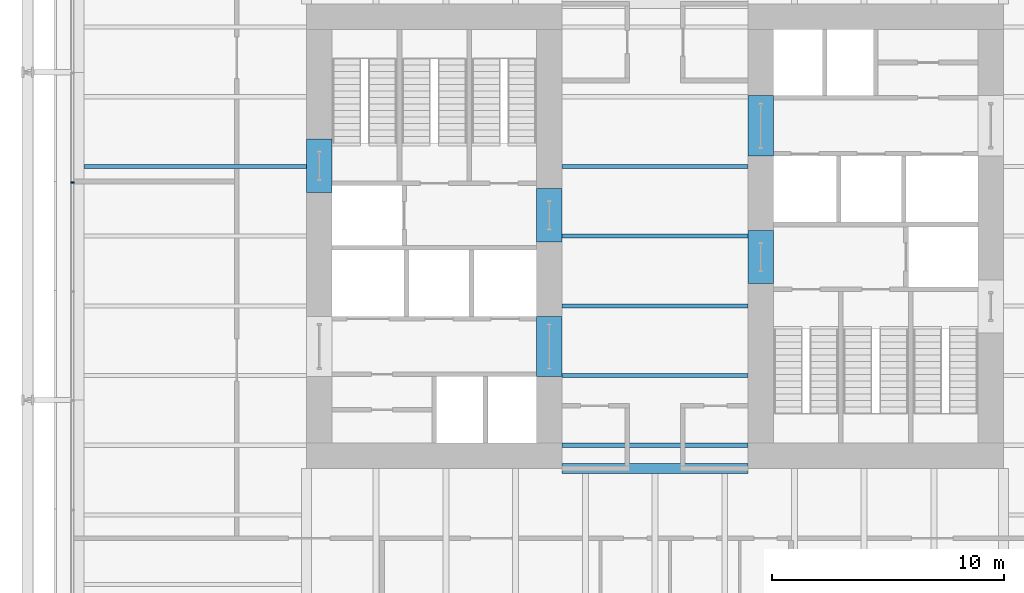
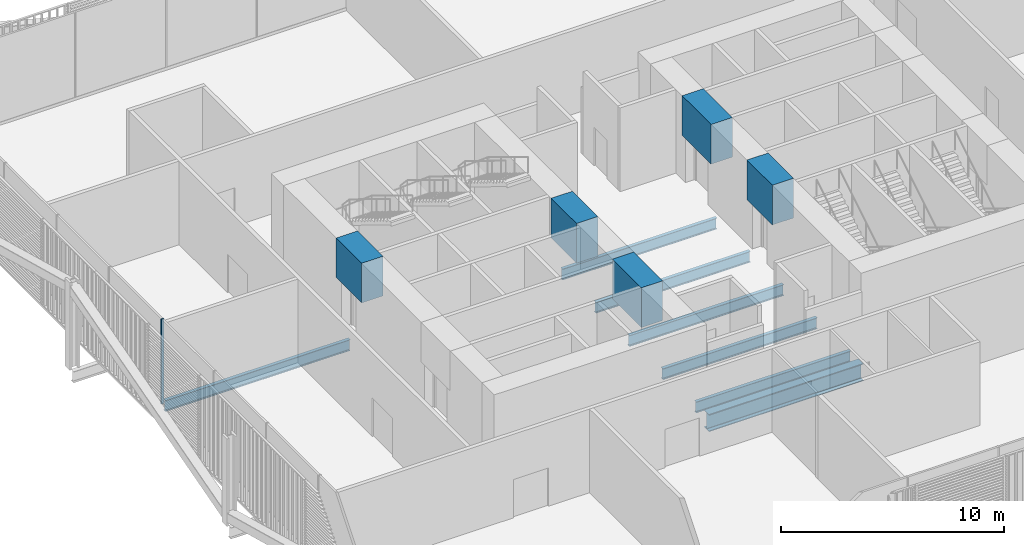
# One storey, part 7 of 22: 12 beams, 1 member, 1 element without a shape of its own.
"""IFC4 building model written with IfcOpenShell, lengths in metres."""

import ifcopenshell
import ifcopenshell.guid

model = None  # the IFC model being written
_history = None  # IfcOwnerHistory: only IFC2X3 demands one
_inside = {}  # id of a spatial element -> (the spatial element, [elements in it])
_under = {}  # id of a project, library or spatial element -> (it, [spatial elements below it])
_declared = {}  # id of a project -> (the project, [libraries it declares])
_typed = {}  # id of a type object -> (the type object, [elements of that type])
_made_of = {}  # id of a material, layer set ... -> (it, [elements and type objects made of it])


def new_model(schema):
    """Start an empty IFC model of exactly this schema.

    Asked for "IFC4X3", IfcOpenShell would pick the latest addendum, in which some entities
    have other attributes; the version numbers below select the first issue.
    IFC2X3 requires an IfcOwnerHistory on every rooted entity: one is made here for all.
    """
    global model, _history
    if schema == "IFC4X3":
        model = ifcopenshell.file(schema_version=(4, 3, 0, 0))
    else:
        model = ifcopenshell.file(schema=schema)
    _inside.clear()
    _under.clear()
    _declared.clear()
    _typed.clear()
    _made_of.clear()
    _history = None
    if model.schema == "IFC2X3":
        org = make("IfcOrganization", Name="unknown")
        user = make(
            "IfcPersonAndOrganization",
            ThePerson=make("IfcPerson", FamilyName="unknown"),
            TheOrganization=org,
        )
        app = make(
            "IfcApplication",
            ApplicationDeveloper=org,
            Version="unknown",
            ApplicationFullName="unknown",
            ApplicationIdentifier="unknown",
        )
        _history = make(
            "IfcOwnerHistory",
            OwningUser=user,
            OwningApplication=app,
            ChangeAction="ADDED",
            CreationDate=0,
        )
    return model


def make(cls, **values):
    """One entity of the class cls with the attributes given. An attribute that is None is left unset."""
    return model.create_entity(
        cls, **{name: value for name, value in values.items() if value is not None}
    )


def rooted(cls, **values):
    """An entity with a GlobalId (a new one), such as an element, a storey or a relation."""
    return make(cls, GlobalId=ifcopenshell.guid.new(), OwnerHistory=_history, **values)


def si_unit(unit_type, name, prefix=None):
    """IfcSIUnit, for example si_unit("LENGTHUNIT", "METRE", prefix="MILLI")."""
    return make("IfcSIUnit", UnitType=unit_type, Prefix=prefix, Name=name)


def assignment(units):
    """IfcUnitAssignment: the units of a project."""
    return None if units is None else make("IfcUnitAssignment", Units=units)


def point(xyz):
    """IfcCartesianPoint."""
    return None if xyz is None else make("IfcCartesianPoint", Coordinates=xyz)


def direction(xyz):
    """IfcDirection."""
    return None if xyz is None else make("IfcDirection", DirectionRatios=xyz)


def frame(location, z_axis=None, x_axis=None):
    """IfcAxis2Placement3D, a coordinate frame: its origin and axes. An axis left out is left unset."""
    return make(
        "IfcAxis2Placement3D",
        Location=point(location),
        Axis=direction(z_axis),
        RefDirection=direction(x_axis),
    )


def frame_2d(location, x_axis=None):
    """IfcAxis2Placement2D, a coordinate frame in the plane: its origin and x axis."""
    return make(
        "IfcAxis2Placement2D", Location=point(location), RefDirection=direction(x_axis)
    )


def origin():
    """The frame at (0, 0, 0) with its axes left unset."""
    return frame((0.0, 0.0, 0.0))


def origin_2d():
    """The frame at (0, 0) in the plane with its x axis left unset."""
    return frame_2d((0.0, 0.0))


def place(relative_to, where):
    """IfcLocalPlacement: puts the frame where relative to a parent placement (None: the world)."""
    return make(
        "IfcLocalPlacement", PlacementRelTo=relative_to, RelativePlacement=where
    )


def context(
    kind, dimensions, precision=None, world=None, true_north=None, identifier=None
):
    """IfcGeometricRepresentationContext, for example the 3D "Model" context."""
    return make(
        "IfcGeometricRepresentationContext",
        ContextIdentifier=identifier,
        ContextType=kind,
        CoordinateSpaceDimension=dimensions,
        Precision=precision,
        WorldCoordinateSystem=world,
        TrueNorth=true_north,
    )


def subcontext(parent, identifier, kind, view, scale=None):
    """IfcGeometricRepresentationSubContext, for example "Body" below "Model"."""
    return make(
        "IfcGeometricRepresentationSubContext",
        ContextIdentifier=identifier,
        ContextType=kind,
        ParentContext=parent,
        TargetScale=scale,
        TargetView=view,
    )


def project(units=None, contexts=None):
    """IfcProject with its units and contexts."""
    return rooted(
        "IfcProject",
        Name="project",
        RepresentationContexts=contexts,
        UnitsInContext=assignment(units),
    )


def spatial(cls, under=None, at=None, **own):
    """A site, building, storey or space (cls), placed at a placement, below another one or the project."""
    s = rooted(cls, ObjectPlacement=at, **own)
    if under is not None:
        _under.setdefault(under.id(), (under, []))[1].append(s)
    return s


def profile(cls, at=None, kind="AREA", **sizes):
    """A parametric profile (cls). Its sizes go by their IFC names, for example OverallWidth=200.0."""
    return make(cls, ProfileType=kind, Position=at, **sizes)


def rectangle(**sizes):
    """IfcRectangleProfileDef."""
    return profile("IfcRectangleProfileDef", **sizes)


def i_section(**sizes):
    """IfcIShapeProfileDef."""
    return profile("IfcIShapeProfileDef", **sizes)


def extrude(swept, where, along, depth):
    """IfcExtrudedAreaSolid: the profile swept, set in the frame where, extruded along a direction by depth."""
    return make(
        "IfcExtrudedAreaSolid",
        SweptArea=swept,
        Position=where,
        ExtrudedDirection=direction(along),
        Depth=depth,
    )


def shape(context_of_items, identifier, shape_type, items):
    """IfcShapeRepresentation: the items that make up one representation, for example the "Body"."""
    return make(
        "IfcShapeRepresentation",
        ContextOfItems=context_of_items,
        RepresentationIdentifier=identifier,
        RepresentationType=shape_type,
        Items=items,
    )


def material(Name=None, Category=None):
    """IfcMaterial."""
    return make("IfcMaterial", Name=Name, Category=Category)


def layer(
    of_material, thickness, ventilated=None, Name=None, Category=None, Priority=None
):
    """IfcMaterialLayer: one layer of a wall or slab, of a material (None: an air gap)."""
    return make(
        "IfcMaterialLayer",
        Material=of_material,
        LayerThickness=thickness,
        IsVentilated=ventilated,
        Name=Name,
        Category=Category,
        Priority=Priority,
    )


def layer_set(layers, Name=None):
    """IfcMaterialLayerSet."""
    return make("IfcMaterialLayerSet", MaterialLayers=layers, LayerSetName=Name)


def material_profile(
    of_material, cross_section, Name=None, Category=None, Priority=None
):
    """IfcMaterialProfile: a cross section and its material."""
    return make(
        "IfcMaterialProfile",
        Name=Name,
        Material=of_material,
        Profile=cross_section,
        Priority=Priority,
        Category=Category,
    )


def profile_set(profiles, Name=None, composite=None):
    """IfcMaterialProfileSet."""
    return make(
        "IfcMaterialProfileSet",
        Name=Name,
        MaterialProfiles=profiles,
        CompositeProfile=composite,
    )


def made_of(thing, what):
    """Note that an element or type object is made of a material, layer set ...; save() writes the relation."""
    if what is not None:
        _made_of.setdefault(what.id(), (what, []))[1].append(thing)
    return thing


def type_object(cls, material=None, **own):
    """A type object (cls), such as IfcWallType, which elements share."""
    return made_of(rooted(cls, **own), material)


def element(
    cls,
    number,
    at=None,
    inside=None,
    cuts=None,
    type_object=None,
    material=None,
    context=None,
    identifier="Body",
    shape_type=None,
    held_by="IfcProductDefinitionShape",
    body=None,
    shapes=None,
    **own,
):
    """One element of the class cls, such as IfcWall. Its Tag is "e" and its number.

    at: its placement. inside: the storey or other place that contains it. cuts: it is an
    opening in that element (IfcRelVoidsElement). A single representation is given by context,
    identifier, shape_type and body (its items); several are given by shapes. held_by: the class
    of the entity that holds the representations. save() writes the other relations.
    """
    e = rooted(cls, Tag="e%d" % number, ObjectPlacement=at, **own)
    if body is not None:
        shapes = [shape(context, identifier, shape_type, body)]
    if shapes is not None:
        e.Representation = make(held_by, Representations=shapes)
    if inside is not None:
        _inside.setdefault(inside.id(), (inside, []))[1].append(e)
    if cuts is not None:
        rooted(
            "IfcRelVoidsElement", RelatingBuildingElement=cuts, RelatedOpeningElement=e
        )
    if type_object is not None:
        _typed.setdefault(type_object.id(), (type_object, []))[1].append(e)
    return made_of(e, material)


def aggregate(whole, parts):
    """IfcRelAggregates: a whole, such as a stair, and the parts it consists of."""
    return rooted("IfcRelAggregates", RelatingObject=whole, RelatedObjects=parts)


def save(model, path):
    """Write the relations noted so far, then the file.

    IfcRelAggregates (storeys below a building ...), IfcRelContainedInSpatialStructure (elements
    in a storey), IfcRelDefinesByType, IfcRelAssociatesMaterial and IfcRelDeclares: one each for
    every whole, place, type object, material and project.
    """
    for whole, parts in _under.values():
        aggregate(whole, parts)
    for where, things in _inside.values():
        rooted(
            "IfcRelContainedInSpatialStructure",
            RelatedElements=things,
            RelatingStructure=where,
        )
    for kind, things in _typed.values():
        rooted("IfcRelDefinesByType", RelatedObjects=things, RelatingType=kind)
    for what, things in _made_of.values():
        rooted("IfcRelAssociatesMaterial", RelatedObjects=things, RelatingMaterial=what)
    for by, libraries in _declared.values():
        rooted("IfcRelDeclares", RelatingContext=by, RelatedDefinitions=libraries)
    model.write(path)


model = new_model("IFC4")

# Units and contexts
model_context = context("Model", 3, precision=1e-05, world=origin(), true_north=direction((0.0, 1.0)))
body_context = subcontext(model_context, "Body", "Model", "MODEL_VIEW")
ifc_project = project(units=[si_unit("LENGTHUNIT", "METRE"), si_unit("AREAUNIT", "SQUARE_METRE"), si_unit("VOLUMEUNIT", "CUBIC_METRE"), si_unit("PLANEANGLEUNIT", "RADIAN"), si_unit("MASSUNIT", "GRAM", prefix="KILO")], contexts=[model_context])

# Site, building, storey
site_placement = place(None, origin())
site = spatial("IfcSite", under=ifc_project, at=site_placement, CompositionType="ELEMENT")
building_placement = place(site_placement, origin())
building = spatial("IfcBuilding", under=site, at=building_placement, Name="Millrace Tower", CompositionType="ELEMENT")
storey_placement = place(building_placement, frame((0.0, 0.0, 30.5)))
storey = spatial("IfcBuildingStorey", under=building, at=storey_placement, Name="L07", CompositionType="ELEMENT", Elevation=30.5)

# Curtain wall, member
ifc_material_1 = material(Name="Aluminium and glass", Category="aluminium")
ifc_layer = layer(ifc_material_1, 0.14990234375)
ifc_layer_set = layer_set([ifc_layer], Name="Aluminium and glass")
curtain_wall_type = type_object("IfcCurtainWallType", Name="CW-2 data hall insulated curtain wall", PredefinedType="NOTDEFINED", material=ifc_layer_set)
curtain_wall_placement = place(storey_placement, origin())
curtain_wall = element("IfcCurtainWall", 1, at=curtain_wall_placement, inside=storey, type_object=curtain_wall_type, Name="Curtain wall A-F08 L07", PredefinedType="NOTDEFINED")
ifc_material_2 = material(Name="Aluminium", Category="aluminium")
ifc_material_profile_1 = material_profile(ifc_material_2, rectangle(XDim=0.06494140625, YDim=0.14990234375, at=origin_2d()))
ifc_profile_set_1 = profile_set([ifc_material_profile_1], Name="Aluminium")
member_type = type_object("IfcMemberType", Name="CW-2 data hall insulated curtain wall mullion", PredefinedType="MULLION", material=ifc_profile_set_1)
member_placement = place(storey_placement, frame((-25.074951171875, 2.3173828125, 0.159912109375), z_axis=(0.0, 0.0, 1.0), x_axis=(0.0, -1.0, 0.0)))
member = element("IfcMember", 2, at=member_placement, type_object=member_type, Name="CW2 mullion A-F08.5", PredefinedType="MULLION", context=body_context, shape_type="SweptSolid", body=[
    extrude(rectangle(XDim=0.06494140625, YDim=0.14990234375, at=origin_2d()), origin(), (0.0, 0.0, 1.0), 4.64013671875),
])
aggregate(curtain_wall, [member])

# Beams
ifc_material_3 = material(Name="Concrete C80", Category="concrete")
ifc_material_profile_2 = material_profile(ifc_material_3, rectangle(XDim=1.10009765625, YDim=2.175048828125, at=origin_2d()))
ifc_profile_set_2 = profile_set([ifc_material_profile_2], Name="Concrete C80")
beam_type_1 = type_object("IfcBeamType", Name="Coupling beam 1100 x 2175 Concrete C80, 1300 opening", PredefinedType="BEAM", material=ifc_profile_set_2)
beam_1_placement = place(storey_placement, frame((-14.449951171875, 1.88818359375, 3.487548828125), z_axis=(0.0, 1.0, 0.0), x_axis=(-1.0, 0.0, 0.0)))
element("IfcBeam", 3, at=beam_1_placement, inside=storey, type_object=beam_type_1, Name="Coupling beam W L07", PredefinedType="BEAM", context=body_context, shape_type="SweptSolid", body=[
    extrude(rectangle(XDim=1.10009765625, YDim=2.175048828125, at=origin_2d()), origin(), (0.0, 0.0, 1.0), 2.28369140625),
])
for number, where, z_axis, x_axis, name in (
    (4, (-4.550048828125, -0.241943359375, 3.487548828125), (0.0, 1.0, 0.0), (-1.0, 0.0, 0.0), "Coupling beam W L07"),
    (5, (4.550048828125, 0.241943359375, 3.487548828125), (0.0, -1.0, 0.0), (1.0, 0.0, 0.0), "Coupling beam E L07"),
):
    element("IfcBeam", number, at=place(storey_placement, frame(where, z_axis=z_axis, x_axis=x_axis)), inside=storey, type_object=beam_type_1, Name=name, PredefinedType="BEAM", context=body_context, shape_type="SweptSolid", body=[
        extrude(rectangle(XDim=1.10009765625, YDim=2.175048828125, at=origin_2d()), origin(), (0.0, 0.0, 1.0), 2.283935546875),
    ])
ifc_material_4 = material(Name="Concrete C80", Category="concrete")
ifc_material_profile_3 = material_profile(ifc_material_4, rectangle(XDim=1.10009765625, YDim=2.175048828125, at=origin_2d()))
ifc_profile_set_3 = profile_set([ifc_material_profile_3], Name="Concrete C80")
beam_type_2 = type_object("IfcBeamType", Name="Coupling beam 1100 x 2175 Concrete C80, 2000 opening", PredefinedType="BEAM", material=ifc_profile_set_3)
for number, where, z_axis, x_axis, name in (
    (6, (-4.550048828125, -6.050048828125, 3.487548828125), (0.0, 1.0, 0.0), (-1.0, 0.0, 0.0), "Coupling beam W L07"),
    (7, (4.550048828125, 6.050048828125, 3.487548828125), (0.0, -1.0, 0.0), (1.0, 0.0, 0.0), "Coupling beam E L07"),
):
    element("IfcBeam", number, at=place(storey_placement, frame(where, z_axis=z_axis, x_axis=x_axis)), inside=storey, type_object=beam_type_2, Name=name, PredefinedType="BEAM", context=body_context, shape_type="SweptSolid", body=[
        extrude(rectangle(XDim=1.10009765625, YDim=2.175048828125, at=origin_2d()), origin(), (0.0, 0.0, 1.0), 2.60009765625),
    ])
ifc_material_5 = material(Name="Steel ASTM A992 Grade 50", Category="steel")
ifc_material_profile_4 = material_profile(ifc_material_5, i_section(OverallWidth=0.177978515625, OverallDepth=0.599365234375, WebThickness=0.010009765625, FlangeThickness=0.012939453125, FilletRadius=0.012939453125, at=origin_2d()))
ifc_profile_set_4 = profile_set([ifc_material_profile_4], Name="Steel ASTM A992 Grade 50")
beam_type_3 = type_object("IfcBeamType", Name="Floor beam W24x55", PredefinedType="JOIST", material=ifc_profile_set_4)
for number, where, z_axis, x_axis, name in (
    (8, (-4.0, -9.0, -0.524658203125), (1.0, 0.0, 0.0), (0.0, 1.0, 0.0), "BM-A-L07-S1-S011"),
    (9, (-4.0, -6.0, -0.524658203125), (1.0, 0.0, 0.0), (0.0, 1.0, 0.0), "BM-A-L07-S1-S014"),
    (10, (-4.0, -3.0, -0.524658203125), (1.0, 0.0, 0.0), (0.0, 1.0, 0.0), "BM-A-L07-S1-S017"),
    (11, (-4.0, 0.0, -0.524658203125), (1.0, 0.0, 0.0), (0.0, 1.0, 0.0), "BM-A-L07-S1-S020"),
    (12, (-4.0, 3.0, -0.524658203125), (1.0, 0.0, 0.0), (0.0, 1.0, 0.0), "BM-A-L07-S1-S023"),
):
    element("IfcBeam", number, at=place(storey_placement, frame(where, z_axis=z_axis, x_axis=x_axis)), inside=storey, type_object=beam_type_3, Name=name, PredefinedType="JOIST", context=body_context, shape_type="SweptSolid", body=[
        extrude(i_section(OverallWidth=0.177978515625, OverallDepth=0.599365234375, WebThickness=0.010009765625, FlangeThickness=0.012939453125, FilletRadius=0.012939453125, at=origin_2d()), origin(), (0.0, 0.0, 1.0), 8.0),
    ])
ifc_material_6 = material(Name="Steel ASTM A992 Grade 50", Category="steel")
ifc_material_profile_5 = material_profile(ifc_material_6, i_section(OverallWidth=0.1787109375, OverallDepth=0.60205078125, WebThickness=0.010986328125, FlangeThickness=0.014892578125, FilletRadius=0.0126953125, at=origin_2d()))
ifc_profile_set_5 = profile_set([ifc_material_profile_5], Name="Steel ASTM A992 Grade 50")
beam_type_4 = type_object("IfcBeamType", Name="Floor beam W24x62", PredefinedType="JOIST", material=ifc_profile_set_5)
beam_2_placement = place(storey_placement, frame((-24.578369140625, 3.0, -0.52587890625), z_axis=(1.0, 0.0, 0.0), x_axis=(0.0, 1.0, 0.0)))
element("IfcBeam", 13, at=beam_2_placement, inside=storey, type_object=beam_type_4, Name="BM-A-L07-S1-S024", PredefinedType="JOIST", context=body_context, shape_type="SweptSolid", body=[
    extrude(i_section(OverallWidth=0.1787109375, OverallDepth=0.60205078125, WebThickness=0.010986328125, FlangeThickness=0.014892578125, FilletRadius=0.0126953125, at=origin_2d()), origin(), (0.0, 0.0, 1.0), 9.578369140625),
])
ifc_material_7 = material(Name="Steel ASTM A992 Grade 50", Category="steel")
ifc_material_profile_6 = material_profile(ifc_material_7, i_section(OverallWidth=0.424072265625, OverallDepth=0.947509765625, WebThickness=0.02392578125, FlangeThickness=0.042724609375, FilletRadius=0.024169921875, at=origin_2d()))
ifc_profile_set_6 = profile_set([ifc_material_profile_6], Name="Steel ASTM A992 Grade 50")
beam_type_5 = type_object("IfcBeamType", Name="Girder short span W36x302", PredefinedType="BEAM", material=ifc_profile_set_6)
beam_3_placement = place(storey_placement, frame((-4.0, -10.0, -0.69873046875), z_axis=(1.0, 0.0, 0.0), x_axis=(0.0, 1.0, 0.0)))
element("IfcBeam", 14, at=beam_3_placement, inside=storey, type_object=beam_type_5, Name="BM-A-L07-S1-G065", PredefinedType="BEAM", context=body_context, shape_type="SweptSolid", body=[
    extrude(i_section(OverallWidth=0.424072265625, OverallDepth=0.947509765625, WebThickness=0.02392578125, FlangeThickness=0.042724609375, FilletRadius=0.024169921875, at=origin_2d()), origin(), (0.0, 0.0, 1.0), 8.0),
])

save(model, "model.ifc")
